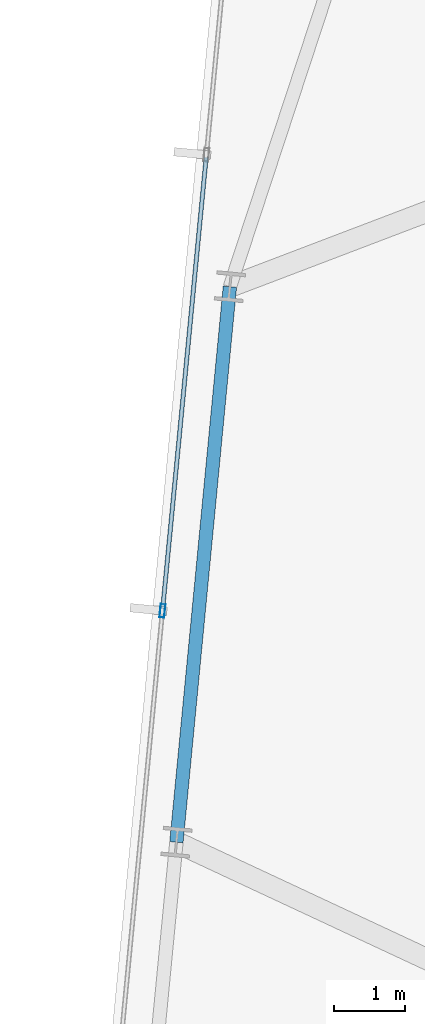
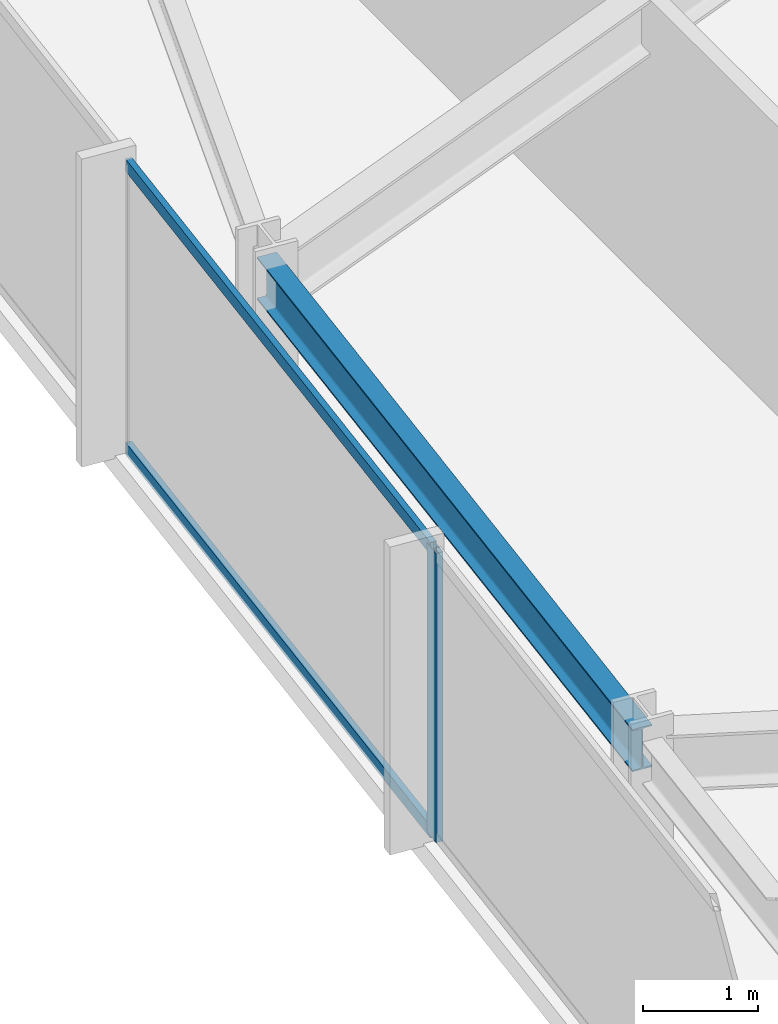
# One storey, part 10 of 37: 3 members, 1 beam, 1 element without a shape of its own.
"""IFC4 building model written with IfcOpenShell, lengths in metres."""

from ifc_helpers import new_model, si_unit, direction, frame, origin, origin_2d, place, context, subcontext, project, spatial, hollow_rectangle, i_section, extrude, material, material_profile, profile_set, type_object, element, aggregate, save


model = new_model("IFC4")

# Units and contexts
model_context = context("Model", 3, precision=1e-05, world=origin(), true_north=direction((0.0, 1.0)))
body_context = subcontext(model_context, "Body", "Model", "MODEL_VIEW")
ifc_project = project(units=[si_unit("LENGTHUNIT", "METRE"), si_unit("AREAUNIT", "SQUARE_METRE"), si_unit("VOLUMEUNIT", "CUBIC_METRE"), si_unit("PLANEANGLEUNIT", "RADIAN"), si_unit("MASSUNIT", "GRAM", prefix="KILO")], contexts=[model_context])

# Site, building, storey
site_placement = place(None, origin())
site = spatial("IfcSite", under=ifc_project, at=site_placement, CompositionType="ELEMENT")
building_placement = place(site_placement, origin())
building = spatial("IfcBuilding", under=site, at=building_placement, Name="Yelkora Congress Tower", CompositionType="ELEMENT")
storey_placement = place(building_placement, frame((0.0, 0.0, 175.39990234375)))
storey = spatial("IfcBuildingStorey", under=building, at=storey_placement, Name="L48", CompositionType="ELEMENT", Elevation=175.39990234375)

# Beam
ifc_material_1 = material(Name="Steel S355J2", Category="steel")
ifc_material_profile_1 = material_profile(ifc_material_1, i_section(OverallWidth=0.18994140625, OverallDepth=0.449951171875, WebThickness=0.009521484375, FlangeThickness=0.0146484375, FilletRadius=0.02099609375, at=origin_2d()), Name="IPE 450")
ifc_profile_set_1 = profile_set([ifc_material_profile_1], Name="Steel S355J2")
beam_type = type_object("IfcBeamType", Name="BM-SPAN-IPE450", PredefinedType="SPANDREL", material=ifc_profile_set_1)
beam_placement = place(storey_placement, frame((4.121826171875, 40.4580078125, 2.85498046875), z_axis=(-0.095864922257, -0.995394352345, 0.0), x_axis=(0.995394352345, -0.095864922257, 0.0)))
element("IfcBeam", 1, at=beam_placement, inside=storey, type_object=beam_type, Name="L48 Perimeter Beam 17", PredefinedType="SPANDREL", context=body_context, shape_type="SweptSolid", body=[
    extrude(i_section(OverallWidth=0.18994140625, OverallDepth=0.449951171875, WebThickness=0.009521484375, FlangeThickness=0.0146484375, FilletRadius=0.02099609375, at=origin_2d()), origin(), (0.0, 0.0, 1.0), 7.89990234375),
])

# Curtain wall, members
ifc_material_2 = material(Name="Anodised aluminium and insulated glass", Category="aluminium")
curtain_wall_type = type_object("IfcCurtainWallType", Name="CW-SYS-B3", PredefinedType="NOTDEFINED", material=ifc_material_2)
curtain_wall_placement = place(storey_placement, origin())
curtain_wall = element("IfcCurtainWall", 2, at=curtain_wall_placement, inside=storey, type_object=curtain_wall_type, Name="L48 Unitised Curtain Wall 5", PredefinedType="NOTDEFINED")
ifc_material_3 = material(Name="Anodised aluminium 6063-T6", Category="aluminium")
ifc_material_profile_2 = material_profile(ifc_material_3, hollow_rectangle(XDim=0.070068359375, YDim=0.18994140625, WallThickness=0.00390625, at=origin_2d()), Name="ALU 70x190x4")
ifc_profile_set_2 = profile_set([ifc_material_profile_2], Name="Anodised aluminium 6063-T6")
member_type_1 = type_object("IfcMemberType", Name="MEM-ML-B3", PredefinedType="MULLION", material=ifc_profile_set_2)
member_1_placement = place(storey_placement, frame((3.167724609375, 35.870361328125, 0.0), z_axis=(0.0, 0.0, 1.0), x_axis=(-0.995396242473, 0.095845294465, 0.0)))
member_1 = element("IfcMember", 3, at=member_1_placement, type_object=member_type_1, Name="CW-B3 mullion 4", PredefinedType="MULLION", context=body_context, shape_type="SweptSolid", body=[
    extrude(hollow_rectangle(XDim=0.070068359375, YDim=0.18994140625, WallThickness=0.00390625, at=origin_2d()), origin(), (0.0, 0.0, 1.0), 3.080078125),
])
ifc_material_profile_3 = material_profile(ifc_material_3, hollow_rectangle(XDim=0.06005859375, YDim=0.1298828125, WallThickness=0.00390625, at=origin_2d()), Name="ALU 60x130x4")
ifc_profile_set_3 = profile_set([ifc_material_profile_3], Name="Anodised aluminium 6063-T6")
member_type_2 = type_object("IfcMemberType", Name="MEM-TR-B3", PredefinedType="USERDEFINED", material=ifc_profile_set_3)
member_2_placement = place(storey_placement, frame((3.171142578125, 35.9052734375, 0.030029296875), z_axis=(0.095847313538, 0.995396048057, 0.0), x_axis=(-0.995396048057, 0.095847313538, 0.0)))
member_2 = element("IfcMember", 4, at=member_2_placement, type_object=member_type_2, Name="CW-B3 transom 4.1", ObjectType="TRANSOM", PredefinedType="USERDEFINED", context=body_context, shape_type="SweptSolid", body=[
    extrude(hollow_rectangle(XDim=0.06005859375, YDim=0.1298828125, WallThickness=0.00390625, at=origin_2d()), origin(), (0.0, 0.0, 1.0), 6.413818359375),
])
member_3_placement = place(storey_placement, frame((3.171142578125, 35.9052734375, 3.050048828125), z_axis=(0.095847313538, 0.995396048057, 0.0), x_axis=(-0.995396048057, 0.095847313538, 0.0)))
member_3 = element("IfcMember", 5, at=member_3_placement, type_object=member_type_2, Name="CW-B3 transom 4.2", ObjectType="TRANSOM", PredefinedType="USERDEFINED", context=body_context, shape_type="SweptSolid", body=[
    extrude(hollow_rectangle(XDim=0.06005859375, YDim=0.1298828125, WallThickness=0.00390625, at=origin_2d()), origin(), (0.0, 0.0, 1.0), 6.413818359375),
])
aggregate(curtain_wall, [member_1, member_2, member_3])

save(model, "model.ifc")
